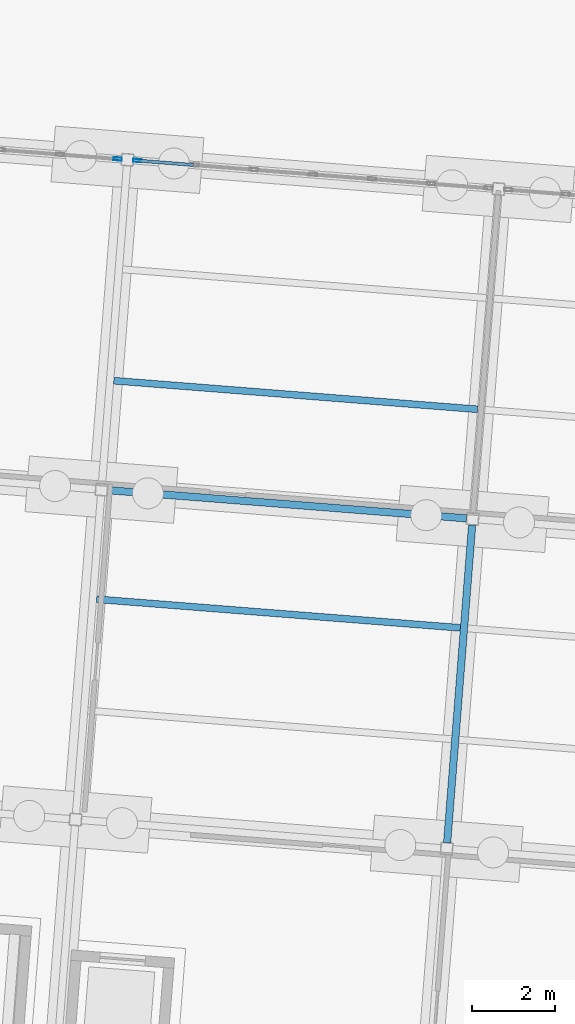
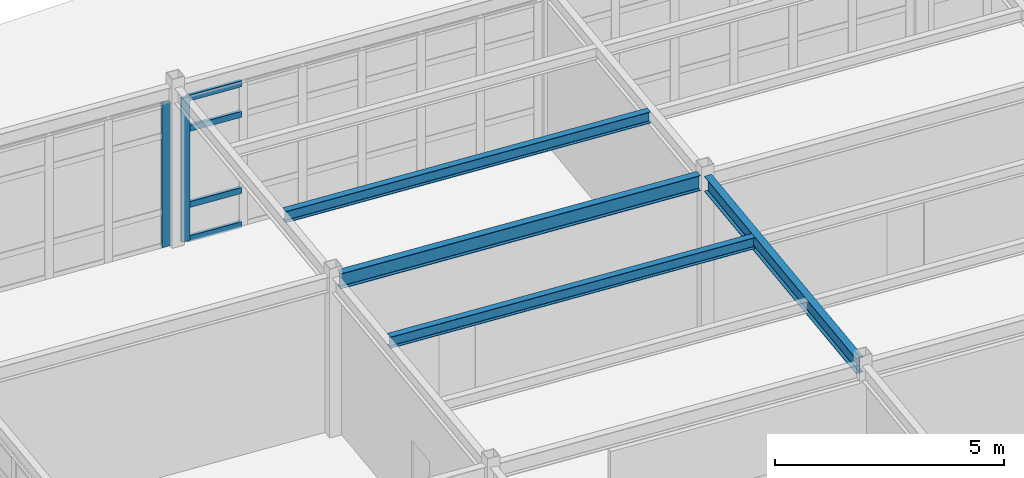
# One storey, part 78 of 154: 6 members, 4 beams, 2 elements without a shape of their own.
"""IFC4 building model written with IfcOpenShell, lengths in metres."""

from ifc_helpers import new_model, si_unit, direction, frame, origin, origin_2d, place, context, subcontext, project, spatial, hollow_rectangle, i_section, extrude, material, material_profile, profile_set, type_object, element, aggregate, save


model = new_model("IFC4")

# Units and contexts
model_context = context("Model", 3, precision=1e-05, world=origin(), true_north=direction((0.0, 1.0)))
body_context = subcontext(model_context, "Body", "Model", "MODEL_VIEW")
ifc_project = project(units=[si_unit("LENGTHUNIT", "METRE"), si_unit("AREAUNIT", "SQUARE_METRE"), si_unit("VOLUMEUNIT", "CUBIC_METRE"), si_unit("PLANEANGLEUNIT", "RADIAN"), si_unit("MASSUNIT", "GRAM", prefix="KILO")], contexts=[model_context])

# Site, building, storey
site_placement = place(None, origin())
site = spatial("IfcSite", under=ifc_project, at=site_placement, CompositionType="ELEMENT")
building_placement = place(site_placement, origin())
building = spatial("IfcBuilding", under=site, at=building_placement, Name="Kestramere Prow Commons", CompositionType="ELEMENT")
storey_placement = place(building_placement, origin())
storey = spatial("IfcBuildingStorey", under=building, at=storey_placement, Name="L00", CompositionType="ELEMENT", Elevation=0.0)

# Beams
ifc_material_1 = material(Name="Steel S355JR", Category="steel")
ifc_material_profile_1 = material_profile(ifc_material_1, i_section(OverallWidth=0.177978515625, OverallDepth=0.406494140625, WebThickness=0.0078125, FlangeThickness=0.0126953125, FilletRadius=0.01025390625, at=origin_2d()), Name="UB 406x178x60")
ifc_profile_set_1 = profile_set([ifc_material_profile_1], Name="Steel S355JR")
beam_type_1 = type_object("IfcBeamType", Name="BM-NR-01 UB 406x178x60", PredefinedType="BEAM", material=ifc_profile_set_1)
beam_1_placement = place(storey_placement, frame((78.97705078125, 100.732666015625, 4.046875), z_axis=(0.996919433544, -0.078432410537, 0.0), x_axis=(0.078432410537, 0.996919433544, 0.0)))
element("IfcBeam", 1, at=beam_1_placement, inside=storey, type_object=beam_type_1, Name="Nursery L00 Beam U 3-2", PredefinedType="BEAM", context=body_context, shape_type="SweptSolid", body=[
    extrude(i_section(OverallWidth=0.177978515625, OverallDepth=0.406494140625, WebThickness=0.0078125, FlangeThickness=0.0126953125, FilletRadius=0.01025390625, at=origin_2d()), origin(), (0.0, 0.0, 1.0), 8.7001953125),
])
beam_2_placement = place(storey_placement, frame((87.183837890625, 92.212646484375, 4.046875), z_axis=(0.078473620365, 0.996916190513, 0.0), x_axis=(-0.996916190513, 0.078473620365, 0.0)))
element("IfcBeam", 2, at=beam_2_placement, inside=storey, type_object=beam_type_1, Name="Nursery L00 Beam V 3-2", PredefinedType="BEAM", context=body_context, shape_type="SweptSolid", body=[
    extrude(i_section(OverallWidth=0.177978515625, OverallDepth=0.406494140625, WebThickness=0.0078125, FlangeThickness=0.0126953125, FilletRadius=0.01025390625, at=origin_2d()), origin(), (0.0, 0.0, 1.0), 7.699951171875),
])

# Curtain wall, member
ifc_material_2 = material(Name="Anodised Aluminium and Low-E Glass", Category="aluminium")
curtain_wall_type = type_object("IfcCurtainWallType", Name="CW-13 Glazed Curtain Wall 8600x3830", PredefinedType="USERDEFINED", material=ifc_material_2)
curtain_wall_1_placement = place(storey_placement, origin())
curtain_wall_1 = element("IfcCurtainWall", 3, at=curtain_wall_1_placement, inside=storey, type_object=curtain_wall_type, Name="Nursery L00 North Garden Glazing 1", ObjectType="GLAZED CURTAIN WALL", PredefinedType="USERDEFINED")
ifc_material_3 = material(Name="Anodised Aluminium 6063-T6", Category="aluminium")
ifc_material_profile_2 = material_profile(ifc_material_3, hollow_rectangle(XDim=0.074951171875, YDim=0.199951171875, WallThickness=0.0048828125, at=origin_2d()), Name="ALU-MUL 75x200")
ifc_profile_set_2 = profile_set([ifc_material_profile_2], Name="Anodised Aluminium 6063-T6")
member_type_1 = type_object("IfcMemberType", Name="CW-MUL-75x200", PredefinedType="MULLION", material=ifc_profile_set_2)
member_1_placement = place(storey_placement, frame((79.218505859375, 108.738525390625, 0.0), z_axis=(0.0, 0.0, 1.0), x_axis=(0.078459070568, 0.996917335713, 0.0)))
member_1 = element("IfcMember", 4, at=member_1_placement, type_object=member_type_1, Name="CW-13 mullion 7", PredefinedType="MULLION", context=body_context, shape_type="SweptSolid", body=[
    extrude(hollow_rectangle(XDim=0.074951171875, YDim=0.199951171875, WallThickness=0.0048828125, at=origin_2d()), origin(), (0.0, 0.0, 1.0), 3.830078125),
])
aggregate(curtain_wall_1, [member_1])

# Curtain wall, members
curtain_wall_2_placement = place(storey_placement, origin())
curtain_wall_2 = element("IfcCurtainWall", 5, at=curtain_wall_2_placement, inside=storey, type_object=curtain_wall_type, Name="Nursery L00 North Garden Glazing 2", ObjectType="GLAZED CURTAIN WALL", PredefinedType="USERDEFINED")
member_2_placement = place(storey_placement, frame((79.692138671875, 108.701171875, 0.0), z_axis=(0.0, 0.0, 1.0), x_axis=(0.078459070568, 0.996917335713, 0.0)))
member_2 = element("IfcMember", 6, at=member_2_placement, type_object=member_type_1, Name="CW-13 mullion 1", PredefinedType="MULLION", context=body_context, shape_type="SweptSolid", body=[
    extrude(hollow_rectangle(XDim=0.074951171875, YDim=0.199951171875, WallThickness=0.0048828125, at=origin_2d()), origin(), (0.0, 0.0, 1.0), 3.830078125),
])
ifc_material_profile_3 = material_profile(ifc_material_3, hollow_rectangle(XDim=0.074951171875, YDim=0.159912109375, WallThickness=0.0048828125, at=origin_2d()), Name="ALU-TRN 75x160")
ifc_profile_set_3 = profile_set([ifc_material_profile_3], Name="Anodised Aluminium 6063-T6")
member_type_2 = type_object("IfcMemberType", Name="CW-TRN-75x160", PredefinedType="USERDEFINED", material=ifc_profile_set_3)
member_3_placement = place(storey_placement, frame((79.7294921875, 108.6982421875, 0.03759765625), z_axis=(0.996923667869, -0.078378571329, 0.0), x_axis=(0.078378571329, 0.996923667869, 0.0)))
member_3 = element("IfcMember", 7, at=member_3_placement, type_object=member_type_2, Name="CW-13 transom 1.1", ObjectType="TRANSOM", PredefinedType="USERDEFINED", context=body_context, shape_type="SweptSolid", body=[
    extrude(hollow_rectangle(XDim=0.074951171875, YDim=0.159912109375, WallThickness=0.0048828125, at=origin_2d()), origin(), (0.0, 0.0, 1.0), 1.32080078125),
])
member_4_placement = place(storey_placement, frame((79.7294921875, 108.6982421875, 0.949951171875), z_axis=(0.996923667869, -0.078378571329, 0.0), x_axis=(0.078378571329, 0.996923667869, 0.0)))
member_4 = element("IfcMember", 8, at=member_4_placement, type_object=member_type_2, Name="CW-13 transom 1.2", ObjectType="TRANSOM", PredefinedType="USERDEFINED", context=body_context, shape_type="SweptSolid", body=[
    extrude(hollow_rectangle(XDim=0.074951171875, YDim=0.159912109375, WallThickness=0.0048828125, at=origin_2d()), origin(), (0.0, 0.0, 1.0), 1.32080078125),
])
member_5_placement = place(storey_placement, frame((79.7294921875, 108.6982421875, 2.97998046875), z_axis=(0.996923667869, -0.078378571329, 0.0), x_axis=(0.078378571329, 0.996923667869, 0.0)))
member_5 = element("IfcMember", 9, at=member_5_placement, type_object=member_type_2, Name="CW-13 transom 1.3", ObjectType="TRANSOM", PredefinedType="USERDEFINED", context=body_context, shape_type="SweptSolid", body=[
    extrude(hollow_rectangle(XDim=0.074951171875, YDim=0.159912109375, WallThickness=0.0048828125, at=origin_2d()), origin(), (0.0, 0.0, 1.0), 1.32080078125),
])
member_6_placement = place(storey_placement, frame((79.7294921875, 108.6982421875, 3.79248046875), z_axis=(0.996923667869, -0.078378571329, 0.0), x_axis=(0.078378571329, 0.996923667869, 0.0)))
member_6 = element("IfcMember", 10, at=member_6_placement, type_object=member_type_2, Name="CW-13 transom 1.4", ObjectType="TRANSOM", PredefinedType="USERDEFINED", context=body_context, shape_type="SweptSolid", body=[
    extrude(hollow_rectangle(XDim=0.074951171875, YDim=0.159912109375, WallThickness=0.0048828125, at=origin_2d()), origin(), (0.0, 0.0, 1.0), 1.32080078125),
])
aggregate(curtain_wall_2, [member_2, member_3, member_4, member_5, member_6])

# Beams
ifc_material_profile_4 = material_profile(ifc_material_1, i_section(OverallWidth=0.1650390625, OverallDepth=0.303466796875, WebThickness=0.006103515625, FlangeThickness=0.01025390625, FilletRadius=0.0087890625, at=origin_2d()), Name="UB 305x165x40")
ifc_profile_set_4 = profile_set([ifc_material_profile_4], Name="Steel S355JR")
beam_type_2 = type_object("IfcBeamType", Name="JST-NR-01 UB 305x165x40", PredefinedType="JOIST", material=ifc_profile_set_4)
for number, where, z_axis, x_axis, name in (
    (11, (78.708251953125, 98.095703125, 4.098388671875), (0.996917659029, -0.07845496234, 0.0), (0.07845496234, 0.996917659029, 0.0), "Nursery L00 Secondary Joist 2-2"),
    (12, (79.124267578125, 103.37939453125, 4.098388671875), (0.996917659029, -0.07845496234, 0.0), (0.07845496234, 0.996917659029, 0.0), "Nursery L00 Secondary Joist 2-3"),
):
    element("IfcBeam", number, at=place(storey_placement, frame(where, z_axis=z_axis, x_axis=x_axis)), inside=storey, type_object=beam_type_2, Name=name, PredefinedType="JOIST", context=body_context, shape_type="SweptSolid", body=[
        extrude(i_section(OverallWidth=0.1650390625, OverallDepth=0.303466796875, WebThickness=0.006103515625, FlangeThickness=0.01025390625, FilletRadius=0.0087890625, at=origin_2d()), origin(), (0.0, 0.0, 1.0), 8.822021484375),
    ])

save(model, "model.ifc")
